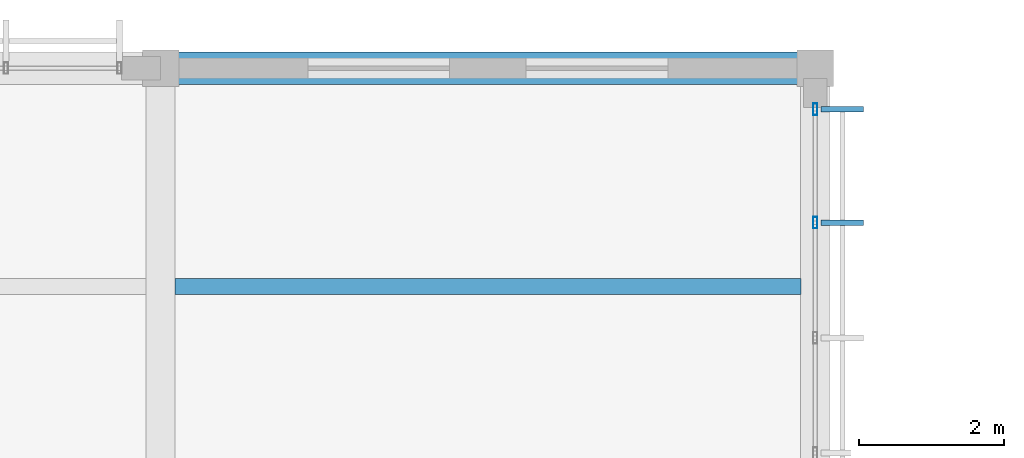
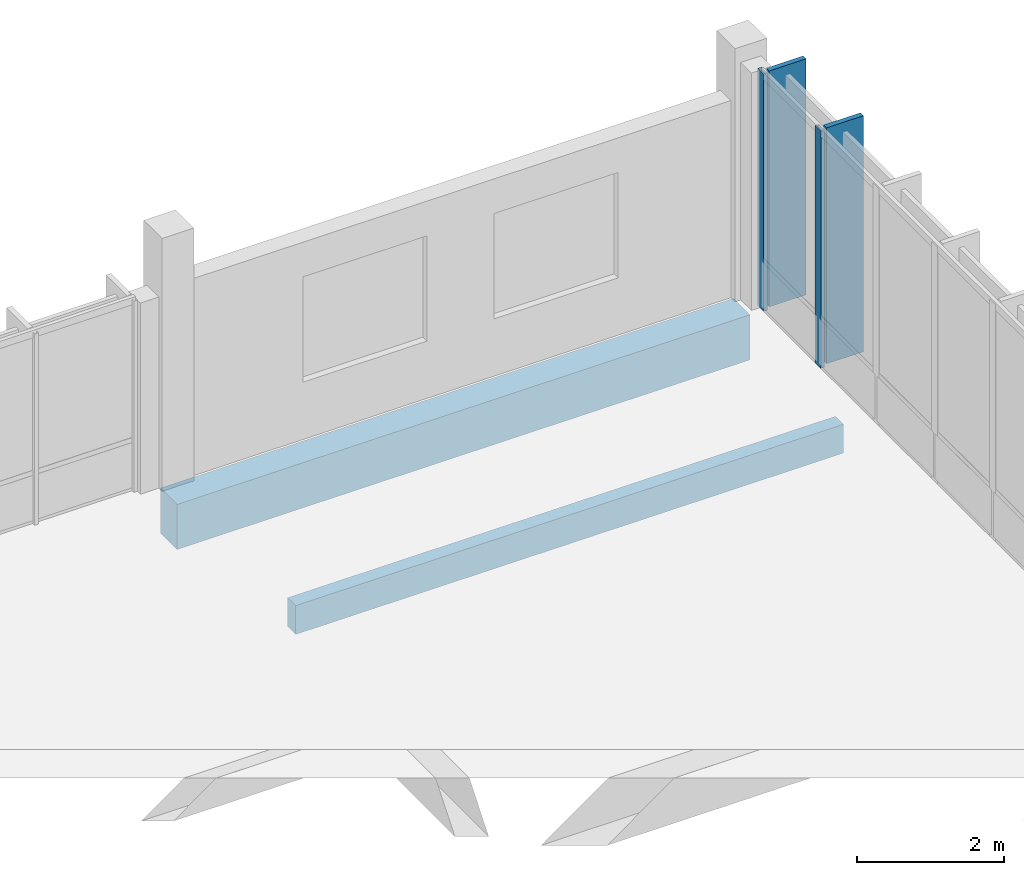
# One storey, part 139 of 182: 4 members, 2 beams, 1 element without a shape of its own.
"""IFC4 building model written with IfcOpenShell, lengths in metres."""

from ifc_helpers import new_model, si_unit, direction, frame, origin, origin_2d, place, context, subcontext, project, spatial, rectangle, hollow_rectangle, extrude, material, material_profile, profile_set, type_object, element, aggregate, save


model = new_model("IFC4")

# Units and contexts
model_context = context("Model", 3, precision=1e-05, world=origin(), true_north=direction((0.0, 1.0)))
body_context = subcontext(model_context, "Body", "Model", "MODEL_VIEW")
ifc_project = project(units=[si_unit("LENGTHUNIT", "METRE"), si_unit("AREAUNIT", "SQUARE_METRE"), si_unit("VOLUMEUNIT", "CUBIC_METRE"), si_unit("PLANEANGLEUNIT", "RADIAN"), si_unit("MASSUNIT", "GRAM", prefix="KILO")], contexts=[model_context])

# Site, building, storey
site_placement = place(None, origin())
site = spatial("IfcSite", under=ifc_project, at=site_placement, CompositionType="ELEMENT")
building_placement = place(site_placement, origin())
building = spatial("IfcBuilding", under=site, at=building_placement, Name="Chiffa Square Polytechnic", CompositionType="ELEMENT")
storey_placement = place(building_placement, frame((0.0, 0.0, 9.60009765625)))
storey = spatial("IfcBuildingStorey", under=building, at=storey_placement, Name="L02", CompositionType="ELEMENT", Elevation=9.60009765625)

# Beam
ifc_material_1 = material(Name="Concrete C35/45", Category="concrete")
ifc_material_profile_1 = material_profile(ifc_material_1, rectangle(XDim=0.449951171875, YDim=0.75, at=origin_2d()), Name="RC 450x750")
ifc_profile_set_1 = profile_set([ifc_material_profile_1], Name="Concrete C35/45")
beam_type_1 = type_object("IfcBeamType", Name="BM-RC-450X750", PredefinedType="BEAM", material=ifc_profile_set_1)
beam_1_placement = place(storey_placement, frame((139.199951171875, 130.800048828125, -0.695068359375), z_axis=(1.0, 0.0, 0.0), x_axis=(0.0, 1.0, 0.0)))
element("IfcBeam", 1, at=beam_1_placement, inside=storey, type_object=beam_type_1, Name="Primary floor girder BM-V5-L02-X-1392-1308", PredefinedType="BEAM", context=body_context, shape_type="SweptSolid", body=[
    extrude(rectangle(XDim=0.449951171875, YDim=0.75, at=origin_2d()), origin(), (0.0, 0.0, 1.0), 9.0),
])

# Curtain wall, members
ifc_material_2 = material(Name="Aluminium EN AW-6060 T66 and glulam shading", Category="wood")
curtain_wall_type = type_object("IfcCurtainWallType", Name="CW-VERT-450X440", PredefinedType="USERDEFINED", material=ifc_material_2)
curtain_wall_placement = place(storey_placement, origin())
curtain_wall = element("IfcCurtainWall", 2, at=curtain_wall_placement, inside=storey, type_object=curtain_wall_type, Name="Curtain wall CW-V5-L02-216", ObjectType="CURTAIN WALL", PredefinedType="USERDEFINED")
ifc_material_3 = material(Name="Aluminium EN AW-6060 T66", Category="aluminium")
ifc_material_profile_2 = material_profile(ifc_material_3, hollow_rectangle(XDim=0.06005859375, YDim=0.159912109375, WallThickness=0.00390625, at=origin_2d()), Name="ALU 60x160x4")
ifc_profile_set_2 = profile_set([ifc_material_profile_2], Name="Aluminium EN AW-6060 T66")
member_type_1 = type_object("IfcMemberType", Name="CWM-ALU-65X150", PredefinedType="MULLION", material=ifc_profile_set_2)
member_1_placement = place(storey_placement, frame((148.199951171875, 128.676025390625, 0.0), z_axis=(0.0, 0.0, 1.0), x_axis=(1.0, 0.0, 0.0)))
member_1 = element("IfcMember", 3, at=member_1_placement, type_object=member_type_1, Name="Curtain wall mullion CW-V5-L02-216-M04", PredefinedType="MULLION", context=body_context, shape_type="SweptSolid", body=[
    extrude(hollow_rectangle(XDim=0.06005859375, YDim=0.159912109375, WallThickness=0.00390625, at=origin_2d()), origin(), (0.0, 0.0, 1.0), 3.93994140625),
])
member_2_placement = place(storey_placement, frame((148.199951171875, 130.235107421875, 0.0), z_axis=(0.0, 0.0, 1.0), x_axis=(1.0, 0.0, 0.0)))
member_2 = element("IfcMember", 4, at=member_2_placement, type_object=member_type_1, Name="Curtain wall mullion CW-V5-L02-216-M05", PredefinedType="MULLION", context=body_context, shape_type="SweptSolid", body=[
    extrude(hollow_rectangle(XDim=0.06005859375, YDim=0.159912109375, WallThickness=0.00390625, at=origin_2d()), origin(), (0.0, 0.0, 1.0), 3.93994140625),
])
ifc_material_4 = material(Name="Glulam GL28h", Category="wood")
ifc_material_profile_3 = material_profile(ifc_material_4, rectangle(XDim=0.080078125, YDim=0.580078125, at=origin_2d()), Name="GL28h 80x580")
ifc_profile_set_3 = profile_set([ifc_material_profile_3], Name="Glulam GL28h")
member_type_2 = type_object("IfcMemberType", Name="CWM-GL-80X580", PredefinedType="MULLION", material=ifc_profile_set_3)
member_3_placement = place(storey_placement, frame((148.572021484375, 128.676025390625, 0.010009765625), z_axis=(0.0, 0.0, 1.0), x_axis=(0.0, 1.0, 0.0)))
member_3 = element("IfcMember", 5, at=member_3_placement, type_object=member_type_2, Name="Exterior glulam solar fin CW-V5-L02-216-FN04", PredefinedType="MULLION", context=body_context, shape_type="SweptSolid", body=[
    extrude(rectangle(XDim=0.080078125, YDim=0.580078125, at=origin_2d()), origin(), (0.0, 0.0, 1.0), 3.919921875),
])
member_4_placement = place(storey_placement, frame((148.572021484375, 130.235107421875, 0.010009765625), z_axis=(0.0, 0.0, 1.0), x_axis=(0.0, 1.0, 0.0)))
member_4 = element("IfcMember", 6, at=member_4_placement, type_object=member_type_2, Name="Exterior glulam solar fin CW-V5-L02-216-FN05", PredefinedType="MULLION", context=body_context, shape_type="SweptSolid", body=[
    extrude(rectangle(XDim=0.080078125, YDim=0.580078125, at=origin_2d()), origin(), (0.0, 0.0, 1.0), 3.919921875),
])
aggregate(curtain_wall, [member_1, member_3, member_2, member_4])

# Beam
ifc_material_profile_4 = material_profile(ifc_material_4, rectangle(XDim=0.219970703125, YDim=0.47998046875, at=origin_2d()), Name="GL28h 220x480")
ifc_profile_set_4 = profile_set([ifc_material_profile_4], Name="Glulam GL28h")
beam_type_2 = type_object("IfcBeamType", Name="JST-GL-220X480", PredefinedType="JOIST", material=ifc_profile_set_4)
beam_2_placement = place(storey_placement, frame((139.39794921875, 127.800048828125, -0.56005859375), z_axis=(1.0, 0.0, 0.0), x_axis=(0.0, 1.0, 0.0)))
element("IfcBeam", 7, at=beam_2_placement, inside=storey, type_object=beam_type_2, Name="Secondary floor joist JST-V5-L02-1392-1278", PredefinedType="JOIST", context=body_context, shape_type="SweptSolid", body=[
    extrude(rectangle(XDim=0.219970703125, YDim=0.47998046875, at=origin_2d()), origin(), (0.0, 0.0, 1.0), 8.60400390625),
])

save(model, "model.ifc")
